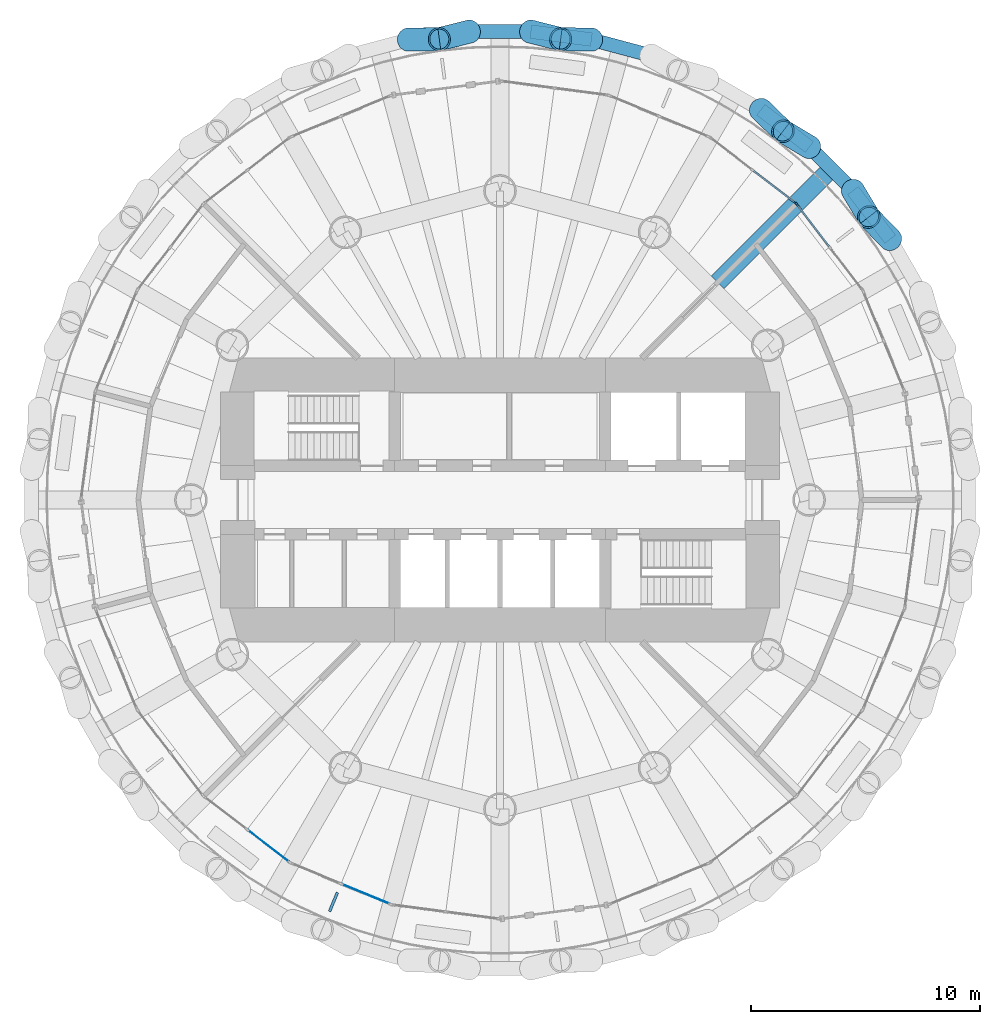
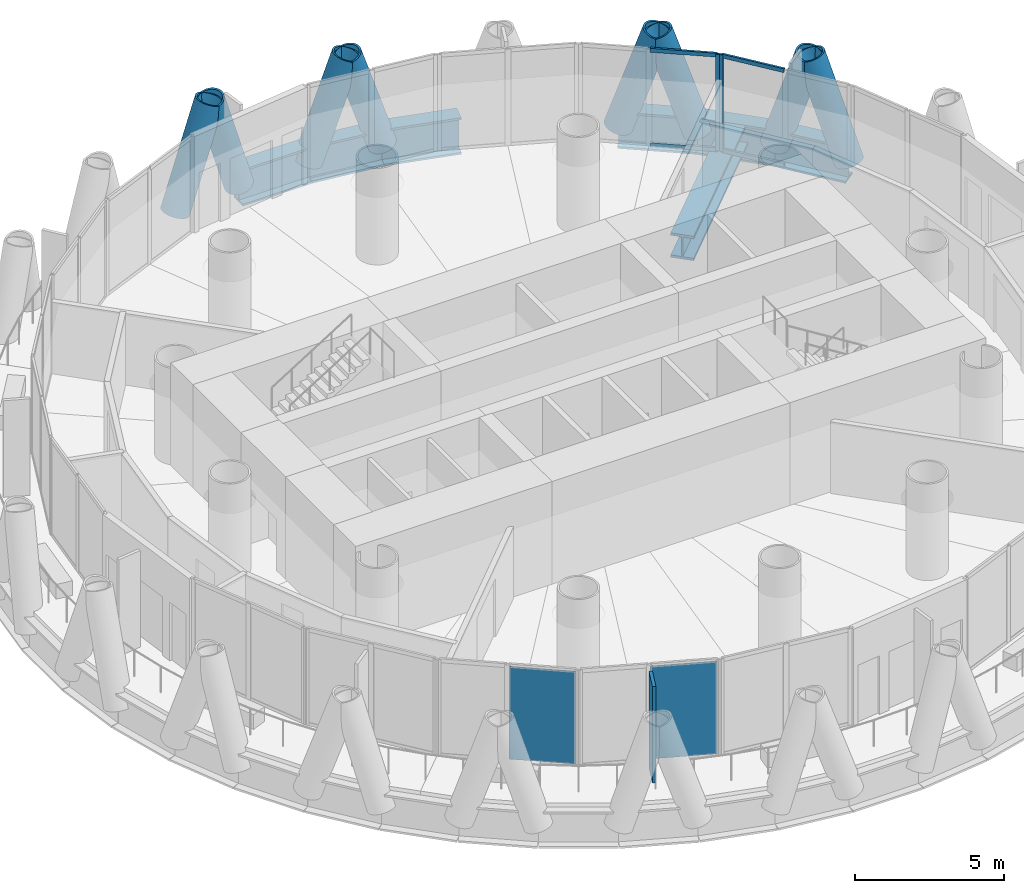
# One storey, part 6 of 13: 14 members, 7 beams, 3 plates, 4 elements without a shape of their own.
"""IFC4 building model written with IfcOpenShell, lengths in metres."""

from ifc_helpers import new_model, si_unit, direction, frame, origin, origin_2d, place, context, subcontext, project, spatial, rectangle, hollow_circle, i_section, extrude, material, layer, layer_set, material_profile, profile_set, type_object, element, aggregate, save


model = new_model("IFC4")

# Units and contexts
model_context = context("Model", 3, precision=1e-05, world=origin(), true_north=direction((0.0, 1.0)))
body_context = subcontext(model_context, "Body", "Model", "MODEL_VIEW")
ifc_project = project(units=[si_unit("LENGTHUNIT", "METRE"), si_unit("AREAUNIT", "SQUARE_METRE"), si_unit("VOLUMEUNIT", "CUBIC_METRE"), si_unit("PLANEANGLEUNIT", "RADIAN"), si_unit("MASSUNIT", "GRAM", prefix="KILO")], contexts=[model_context])

# Site, building, storey
site_placement = place(None, origin())
site = spatial("IfcSite", under=ifc_project, at=site_placement, CompositionType="ELEMENT")
building_placement = place(site_placement, origin())
building = spatial("IfcBuilding", under=site, at=building_placement, Name="Qaws Media Tower", CompositionType="ELEMENT")
storey_placement = place(building_placement, frame((0.0, 0.0, 282.199951171875)))
storey = spatial("IfcBuildingStorey", under=building, at=storey_placement, Name="L65", CompositionType="ELEMENT", Elevation=282.199951171875)

# Curtain wall, member
ifc_material_1 = material(Name="Aluminium and clear glass", Category="aluminium")
curtain_wall_type = type_object("IfcCurtainWallType", Name="Unitised curtain wall CW-D", PredefinedType="NOTDEFINED", material=ifc_material_1)
curtain_wall_1_placement = place(storey_placement, origin())
curtain_wall_1 = element("IfcCurtainWall", 1, at=curtain_wall_1_placement, inside=storey, type_object=curtain_wall_type, Name="CWD curtain wall L65-03", PredefinedType="NOTDEFINED")
ifc_material_2 = material(Name="Aluminium mullion", Category="aluminium")
ifc_material_profile_1 = material_profile(ifc_material_2, rectangle(XDim=0.080078125, YDim=0.199951171875, at=origin_2d()), Name="80x200")
ifc_profile_set_1 = profile_set([ifc_material_profile_1], Name="Aluminium mullion")
member_type_1 = type_object("IfcMemberType", Name="Curtain wall mullion 80x200", PredefinedType="MULLION", material=ifc_profile_set_1)
member_1_placement = place(storey_placement, frame((72.96435546875, 62.908203125, 0.0), z_axis=(0.0, 0.0, 1.0), x_axis=(-0.793353311997, -0.608761465882, 0.0)))
member_1 = element("IfcMember", 2, at=member_1_placement, type_object=member_type_1, Name="CWD mullion 3", PredefinedType="MULLION", context=body_context, shape_type="SweptSolid", body=[
    extrude(rectangle(XDim=0.080078125, YDim=0.199951171875, at=origin_2d()), origin(), (0.0, 0.0, 1.0), 3.949951171875),
])

curtain_wall_2_placement = place(storey_placement, origin())
curtain_wall_2 = element("IfcCurtainWall", 3, at=curtain_wall_2_placement, inside=storey, type_object=curtain_wall_type, Name="CWD curtain wall L65-04", PredefinedType="NOTDEFINED")
member_2_placement = place(storey_placement, frame((72.908203125, 62.96435546875, 0.0), z_axis=(0.0, 0.0, 1.0), x_axis=(-0.608761465882, -0.793353311997, 0.0)))
member_2 = element("IfcMember", 4, at=member_2_placement, type_object=member_type_1, Name="CWD mullion 1", PredefinedType="MULLION", context=body_context, shape_type="SweptSolid", body=[
    extrude(rectangle(XDim=0.080078125, YDim=0.199951171875, at=origin_2d()), origin(), (0.0, 0.0, 1.0), 3.949951171875),
])

# Member
ifc_material_3 = material(Name="Aluminium transom", Category="aluminium")
ifc_material_profile_2 = material_profile(ifc_material_3, rectangle(XDim=0.080078125, YDim=0.159912109375, at=origin_2d()), Name="80x160")
ifc_profile_set_2 = profile_set([ifc_material_profile_2], Name="Aluminium transom")
member_type_2 = type_object("IfcMemberType", Name="Curtain wall transom 80x160", PredefinedType="USERDEFINED", material=ifc_profile_set_2)
member_3_placement = place(storey_placement, frame((74.369873046875, 61.07666015625, 0.0400390625), z_axis=(-0.608779408493, 0.793339543824, 0.0), x_axis=(-0.793339543824, -0.608779408493, 0.0)))
member_3 = element("IfcMember", 5, at=member_3_placement, type_object=member_type_2, Name="CWD transom 2.1", ObjectType="TRANSOM", PredefinedType="USERDEFINED", context=body_context, shape_type="SweptSolid", body=[
    extrude(rectangle(XDim=0.080078125, YDim=0.159912109375, at=origin_2d()), origin(), (0.0, 0.0, 1.0), 2.2685546875),
])

member_4_placement = place(storey_placement, frame((74.369873046875, 61.07666015625, 3.91015625), z_axis=(-0.608779408493, 0.793339543824, 0.0), x_axis=(-0.793339543824, -0.608779408493, 0.0)))
member_4 = element("IfcMember", 6, at=member_4_placement, type_object=member_type_2, Name="CWD transom 2.2", ObjectType="TRANSOM", PredefinedType="USERDEFINED", context=body_context, shape_type="SweptSolid", body=[
    extrude(rectangle(XDim=0.080078125, YDim=0.159912109375, at=origin_2d()), origin(), (0.0, 0.0, 1.0), 2.2685546875),
])

aggregate(curtain_wall_1, [member_1, member_3, member_4])

member_5_placement = place(storey_placement, frame((72.87646484375, 62.98876953125, 0.0400390625), z_axis=(-0.793339543824, 0.608779408493, 0.0), x_axis=(-0.608779408493, -0.793339543824, 0.0)))
member_5 = element("IfcMember", 7, at=member_5_placement, type_object=member_type_2, Name="CWD transom 1.1", ObjectType="TRANSOM", PredefinedType="USERDEFINED", context=body_context, shape_type="SweptSolid", body=[
    extrude(rectangle(XDim=0.080078125, YDim=0.159912109375, at=origin_2d()), origin(), (0.0, 0.0, 1.0), 2.2685546875),
])

member_6_placement = place(storey_placement, frame((72.87646484375, 62.98876953125, 3.91015625), z_axis=(-0.793339543824, 0.608779408493, 0.0), x_axis=(-0.608779408493, -0.793339543824, 0.0)))
member_6 = element("IfcMember", 8, at=member_6_placement, type_object=member_type_2, Name="CWD transom 1.2", ObjectType="TRANSOM", PredefinedType="USERDEFINED", context=body_context, shape_type="SweptSolid", body=[
    extrude(rectangle(XDim=0.080078125, YDim=0.159912109375, at=origin_2d()), origin(), (0.0, 0.0, 1.0), 2.2685546875),
])

aggregate(curtain_wall_2, [member_2, member_5, member_6])

# Members
ifc_material_4 = material(Name="Steel S460", Category="steel")
ifc_material_profile_3 = material_profile(ifc_material_4, hollow_circle(Radius=0.508056640625, WallThickness=0.070068359375, at=origin_2d()), Name="CHS 1016x70")
ifc_profile_set_3 = profile_set([ifc_material_profile_3], Name="Steel S460")
member_type_3 = type_object("IfcMemberType", Name="Diagrid member CHS 1016x70", PredefinedType="USERDEFINED", material=ifc_profile_set_3)
for number, where, z_axis, x_axis, name in (
    (9, (77.045166015625, 61.38916015625, -0.909912109375), (-0.217338768313, 0.223941893707, 0.950059939178), (-0.717607274643, -0.696447987563, 0.0), "DG3 diagrid L65 A03"),
    (10, (73.5166015625, 65.41259765625, -0.909912109375), (-0.267853188571, 0.160057236154, 0.950071760725), (-0.512952193399, -0.858417175554, 0.0), "DG3 diagrid L65 A04"),
    (11, (75.41259765625, 63.5166015625, -0.909912109375), (0.160057236154, -0.267853188571, 0.950071760725), (0.858417175554, 0.512952193399, 0.0), "DG3 diagrid L65 B04"),
    (12, (71.38916015625, 67.045166015625, -0.909912109375), (0.223941893707, -0.217338768313, 0.950059939178), (0.696447987563, 0.717607274643, 0.0), "DG3 diagrid L65 B05"),
    (13, (63.999267578125, 70.106201171875, -0.909912109375), (-0.311988393673, 0.00462790309, 0.95007464166), (-0.014831942847, -0.999890000686, 0.0), "DG3 diagrid L65 A06"),
    (14, (58.6591796875, 70.4560546875, -0.909912109375), (-0.30256326722, -0.076247523599, 0.950074620477), (0.244365246302, -0.969683260864, 0.0), "DG3 diagrid L65 A07"),
    (15, (61.3408203125, 70.4560546875, -0.909912109375), (0.30256326722, -0.076247523599, 0.950074620477), (0.244365246302, 0.969683260864, 0.0), "DG3 diagrid L65 B07"),
    (16, (56.000732421875, 70.106201171875, -0.909912109375), (0.311988393673, 0.00462790309, 0.95007464166), (-0.014831942847, 0.999890000686, 0.0), "DG3 diagrid L65 B08"),
):
    element("IfcMember", number, at=place(storey_placement, frame(where, z_axis=z_axis, x_axis=x_axis)), inside=storey, type_object=member_type_3, Name=name, ObjectType="DIAGRID", PredefinedType="USERDEFINED", context=body_context, shape_type="SweptSolid", body=[
        extrude(hollow_circle(Radius=0.508056640625, WallThickness=0.070068359375, at=origin_2d()), origin(), (0.0, 0.0, 1.0), 4.325927734375),
    ])

# Beams
ifc_material_5 = material(Name="Steel S460", Category="steel")
ifc_material_profile_4 = material_profile(ifc_material_5, i_section(OverallWidth=0.60009765625, OverallDepth=1.5, WebThickness=0.030029296875, FlangeThickness=0.080078125, at=origin_2d()), Name="PG 1500x600")
ifc_profile_set_4 = profile_set([ifc_material_profile_4], Name="Steel S460")
beam_type_1 = type_object("IfcBeamType", Name="Edge ring beam PG 1500x600", PredefinedType="BEAM", material=ifc_profile_set_4)
beam_1_placement = place(storey_placement, frame((77.045166015625, 61.38916015625, -0.909912109375), z_axis=(-0.608790803149, 0.793330799857, 0.0), x_axis=(-0.793330799857, -0.608790803149, 0.0)))
element("IfcBeam", 17, at=beam_1_placement, inside=storey, type_object=beam_type_1, Name="RB5 edge ring beam L65-05", PredefinedType="BEAM", context=body_context, shape_type="SweptSolid", body=[
    extrude(i_section(OverallWidth=0.60009765625, OverallDepth=1.5, WebThickness=0.030029296875, FlangeThickness=0.080078125, at=origin_2d()), origin(), (0.0, 0.0, 1.0), 2.681640625),
])
beam_2_placement = place(storey_placement, frame((75.41259765625, 63.5166015625, -0.909912109375), z_axis=(-0.707106781187, 0.707106781187, 0.0), x_axis=(-0.707106781187, -0.707106781187, 0.0)))
element("IfcBeam", 18, at=beam_2_placement, inside=storey, type_object=beam_type_1, Name="RB5 edge ring beam L65-06", PredefinedType="BEAM", context=body_context, shape_type="SweptSolid", body=[
    extrude(i_section(OverallWidth=0.60009765625, OverallDepth=1.5, WebThickness=0.030029296875, FlangeThickness=0.080078125, at=origin_2d()), origin(), (0.0, 0.0, 1.0), 2.681396484375),
])
for number, where, z_axis, x_axis, name in (
    (19, (73.5166015625, 65.41259765625, -0.909912109375), (-0.793330799857, 0.608790803149, 0.0), (-0.608790803149, -0.793330799857, 0.0), "RB5 edge ring beam L65-07"),
    (20, (66.589599609375, 69.412109375, -0.909912109375), (-0.965924481895, 0.258824062397, 0.0), (-0.258824062397, -0.965924481895, 0.0), "RB5 edge ring beam L65-10"),
):
    element("IfcBeam", number, at=place(storey_placement, frame(where, z_axis=z_axis, x_axis=x_axis)), inside=storey, type_object=beam_type_1, Name=name, PredefinedType="BEAM", context=body_context, shape_type="SweptSolid", body=[
        extrude(i_section(OverallWidth=0.60009765625, OverallDepth=1.5, WebThickness=0.030029296875, FlangeThickness=0.080078125, at=origin_2d()), origin(), (0.0, 0.0, 1.0), 2.681640625),
    ])
beam_3_placement = place(storey_placement, frame((63.999267578125, 70.106201171875, -0.909912109375), z_axis=(-0.991451506151, 0.130475710195, 0.0), x_axis=(-0.130475710195, -0.991451506151, 0.0)))
element("IfcBeam", 21, at=beam_3_placement, inside=storey, type_object=beam_type_1, Name="RB5 edge ring beam L65-11", PredefinedType="BEAM", context=body_context, shape_type="SweptSolid", body=[
    extrude(i_section(OverallWidth=0.60009765625, OverallDepth=1.5, WebThickness=0.030029296875, FlangeThickness=0.080078125, at=origin_2d()), origin(), (0.0, 0.0, 1.0), 2.681396484375),
])
beam_4_placement = place(storey_placement, frame((61.3408203125, 70.4560546875, -0.909912109375), z_axis=(-1.0, 0.0, 0.0), x_axis=(0.0, -1.0, 0.0)))
element("IfcBeam", 22, at=beam_4_placement, inside=storey, type_object=beam_type_1, Name="RB5 edge ring beam L65-12", PredefinedType="BEAM", context=body_context, shape_type="SweptSolid", body=[
    extrude(i_section(OverallWidth=0.60009765625, OverallDepth=1.5, WebThickness=0.030029296875, FlangeThickness=0.080078125, at=origin_2d()), origin(), (0.0, 0.0, 1.0), 2.681640625),
])
ifc_material_6 = material(Name="Steel S460", Category="steel")
ifc_material_profile_5 = material_profile(ifc_material_6, i_section(OverallWidth=0.800048828125, OverallDepth=1.0, WebThickness=0.0400390625, FlangeThickness=0.10009765625, at=origin_2d()), Name="PG 1000x800")
ifc_profile_set_5 = profile_set([ifc_material_profile_5], Name="Steel S460")
beam_type_2 = type_object("IfcBeamType", Name="Radial girder PG 1000x800", PredefinedType="BEAM", material=ifc_profile_set_5)
beam_5_placement = place(storey_placement, frame((69.50341796875, 59.50341796875, -0.659912109375), z_axis=(0.707106781187, 0.707106781187, 0.0), x_axis=(-0.707106781187, 0.707106781187, 0.0)))
element("IfcBeam", 23, at=beam_5_placement, inside=storey, type_object=beam_type_2, Name="B1 radial beam L65 04", PredefinedType="BEAM", context=body_context, shape_type="SweptSolid", body=[
    extrude(i_section(OverallWidth=0.800048828125, OverallDepth=1.0, WebThickness=0.0400390625, FlangeThickness=0.10009765625, at=origin_2d()), origin(), (0.0, 0.0, 1.0), 7.01611328125),
])

# Curtain wall, plate
curtain_wall_3_placement = place(storey_placement, origin())
curtain_wall_3 = element("IfcCurtainWall", 24, at=curtain_wall_3_placement, inside=storey, type_object=curtain_wall_type, Name="CWD curtain wall L65-16", PredefinedType="NOTDEFINED")
ifc_material_7 = material(Name="Clear laminated double glazing", Category="glass")
ifc_layer_1 = layer(ifc_material_7, 0.031982421875)
ifc_layer_set_1 = layer_set([ifc_layer_1], Name="Curtain wall glass unit 32")
plate_type_1 = type_object("IfcPlateType", Name="Curtain wall glass unit 32", PredefinedType="CURTAIN_PANEL", material=ifc_layer_set_1)
plate_1_placement = place(storey_placement, frame((49.88671875, 34.890869140625, 0.080078125), z_axis=(0.0, 0.0, 1.0), x_axis=(0.793353311997, -0.608761465882, 0.0)))
plate_1 = element("IfcPlate", 25, at=plate_1_placement, type_object=plate_type_1, Name="CWD panel 2.1", PredefinedType="CURTAIN_PANEL", context=body_context, shape_type="SweptSolid", body=[
    extrude(rectangle(XDim=2.2685546875, YDim=0.031982421875, at=origin_2d()), origin(), (0.0, 0.0, 1.0), 3.7900390625),
])
aggregate(curtain_wall_3, [plate_1])

curtain_wall_4_placement = place(storey_placement, origin())
curtain_wall_4 = element("IfcCurtainWall", 26, at=curtain_wall_4_placement, inside=storey, type_object=curtain_wall_type, Name="CWD curtain wall L65-17", PredefinedType="NOTDEFINED")
plate_2_placement = place(storey_placement, frame((54.141845703125, 32.788330078125, 0.080078125), z_axis=(0.0, 0.0, 1.0), x_axis=(0.923879498114, -0.382683515407, 0.0)))
plate_2 = element("IfcPlate", 27, at=plate_2_placement, type_object=plate_type_1, Name="CWD panel 2.1", PredefinedType="CURTAIN_PANEL", context=body_context, shape_type="SweptSolid", body=[
    extrude(rectangle(XDim=2.2685546875, YDim=0.031982421875, at=origin_2d()), origin(), (0.0, 0.0, 1.0), 3.7900390625),
])
aggregate(curtain_wall_4, [plate_2])

# Plate
ifc_material_8 = material(Name="Precast concrete screen fin", Category="concrete")
ifc_layer_2 = layer(ifc_material_8, 0.1201171875)
ifc_layer_set_2 = layer_set([ifc_layer_2], Name="Screen fin 120x900")
plate_type_2 = type_object("IfcPlateType", Name="Screen fin 120x900", PredefinedType="USERDEFINED", material=ifc_layer_set_2)
plate_3_placement = place(storey_placement, frame((52.72900390625, 32.4462890625, 0.0), z_axis=(0.0, 0.0, 1.0), x_axis=(-0.382683432365, -0.923879532511, 0.0)))
element("IfcPlate", 28, at=plate_3_placement, inside=storey, type_object=plate_type_2, Name="SCR1 screen fin L65-09", ObjectType="SCREEN", PredefinedType="USERDEFINED", context=body_context, shape_type="SweptSolid", body=[
    extrude(rectangle(XDim=0.89990234375, YDim=0.1201171875, at=origin_2d()), origin(), (0.0, 0.0, 1.0), 3.949951171875),
])

save(model, "model.ifc")
